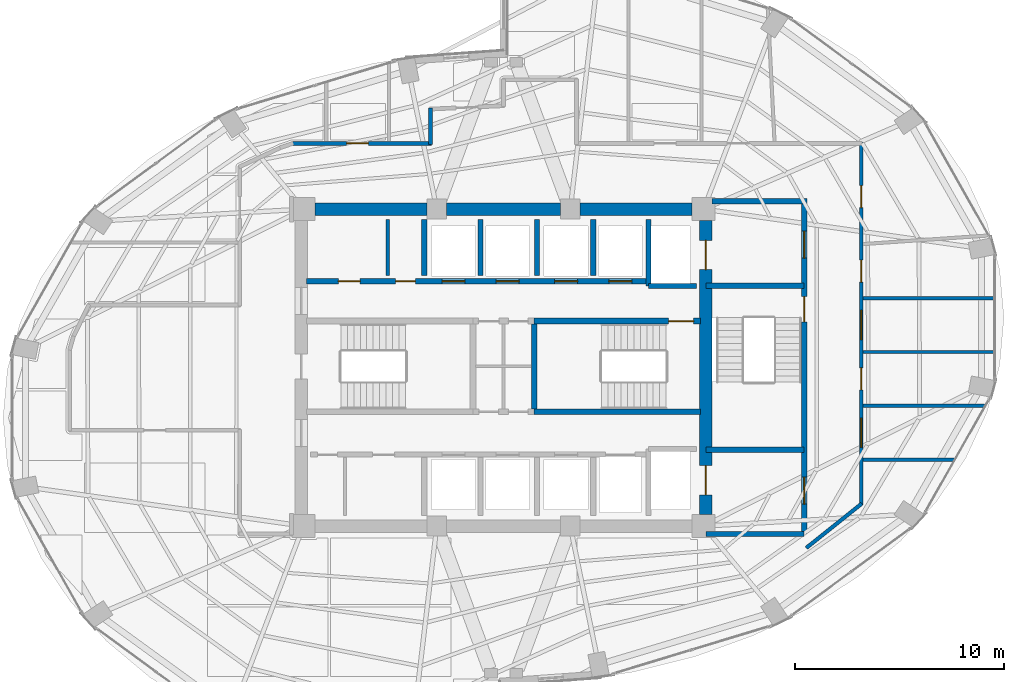
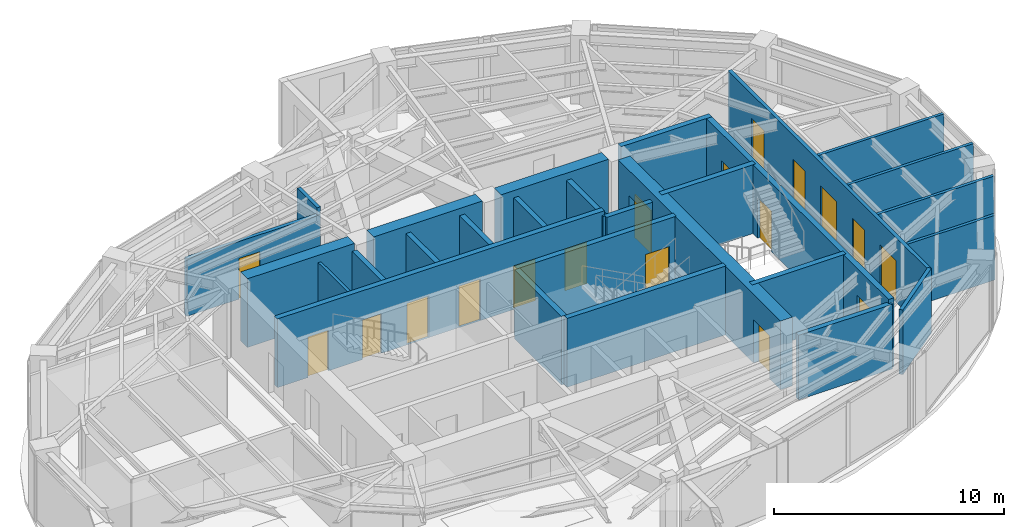
# One storey, part 17 of 20: 28 walls, 18 doors, 18 openings.
"""IFC4 building model written with IfcOpenShell, lengths in metres."""

from ifc_helpers import new_model, si_unit, direction, frame, frame_2d, origin, place, context, subcontext, project, spatial, rectangle, extrude, material, layer, layer_set, type_object, element, fill, save


model = new_model("IFC4")

# Units and contexts
model_context = context("Model", 3, precision=1e-05, world=origin(), true_north=direction((0.0, 1.0)))
body_context = subcontext(model_context, "Body", "Model", "MODEL_VIEW")
ifc_project = project(units=[si_unit("LENGTHUNIT", "METRE"), si_unit("AREAUNIT", "SQUARE_METRE"), si_unit("VOLUMEUNIT", "CUBIC_METRE"), si_unit("PLANEANGLEUNIT", "RADIAN"), si_unit("MASSUNIT", "GRAM", prefix="KILO")], contexts=[model_context])

# Site, building, storey
site_placement = place(None, origin())
site = spatial("IfcSite", under=ifc_project, at=site_placement, CompositionType="ELEMENT")
building_placement = place(site_placement, origin())
building = spatial("IfcBuilding", under=site, at=building_placement, Name="Lazwardi Medical Tower", CompositionType="ELEMENT")
storey_placement = place(building_placement, frame((0.0, 0.0, 160.176025390625)))
storey = spatial("IfcBuildingStorey", under=building, at=storey_placement, Name="L41", CompositionType="ELEMENT", Elevation=160.176025390625)

# Wall, opening, door
ifc_material_1 = material(Name="Fire-rated gypsum board on steel stud", Category="steel")
ifc_layer_1 = layer(ifc_material_1, 0.179931640625)
ifc_layer_set_1 = layer_set([ifc_layer_1], Name="Fire-rated gypsum board on steel stud")
wall_type_1 = type_object("IfcWallType", Name="WL-COR-180", PredefinedType="PARTITIONING", material=ifc_layer_set_1)
wall_1_placement = place(storey_placement, frame((25.842529296875, 38.75, 0.0), z_axis=(0.0, 0.0, 1.0), x_axis=(1.0, 0.0, 0.0)))
wall_1 = element("IfcWall", 1, at=wall_1_placement, inside=storey, type_object=wall_type_1, Name="L41 Corridor partition 6", PredefinedType="PARTITIONING", context=body_context, shape_type="SweptSolid", body=[
    extrude(rectangle(XDim=6.697509765625, YDim=0.179931640625, at=frame_2d((3.3486328125, 0.0))), origin(), (0.0, 0.0, 1.0), 3.052978515625),
])
opening_1_placement = place(wall_1_placement, frame((2.63232421875, 0.0, 0.0)))
opening_1 = element("IfcOpeningElement", 2, at=opening_1_placement, cuts=wall_1, Name="Opening D-L41-022", PredefinedType="OPENING", context=body_context, shape_type="SweptSolid", body=[
    extrude(rectangle(XDim=1.050048828125, YDim=2.14990234375, at=frame_2d((0.52490234375, 1.074951171875))), frame((0.0, 0.099853515625, 0.0), z_axis=(0.0, -1.0, 0.0), x_axis=(1.0, 0.0, 0.0)), (0.0, 0.0, 1.0), 0.199951171875),
])
ifc_material_2 = material(Name="Anti-microbial laminate hospital leaf")
door_type_1 = type_object("IfcDoorType", Name="DR-CLN-1050", OperationType="NOTDEFINED", PredefinedType="DOOR", material=ifc_material_2)
door_1_placement = place(opening_1_placement, origin())
door_1 = element("IfcDoor", 3, at=door_1_placement, inside=storey, type_object=door_type_1, Name="L41 Outpatient Consultation Suite Door 10", OperationType="SINGLE_SWING_LEFT", OverallHeight=2.14990234375, OverallWidth=1.050048828125, PredefinedType="DOOR", context=body_context, shape_type="SweptSolid", body=[
    extrude(rectangle(XDim=1.050048828125, YDim=2.14990234375, at=frame_2d((0.52490234375, 1.074951171875))), frame((0.0, 0.02490234375, 0.0), z_axis=(0.0, -1.0, 0.0), x_axis=(1.0, 0.0, 0.0)), (0.0, 0.0, 1.0), 0.050048828125),
])
fill(opening_1, door_1)

# Wall
wall_2_placement = place(storey_placement, frame((32.5, 38.7099609375, 0.0), z_axis=(0.0, 0.0, 1.0), x_axis=(0.0, 1.0, 0.0)))
element("IfcWall", 4, at=wall_2_placement, inside=storey, type_object=wall_type_1, Name="L41 Corridor partition 7", PredefinedType="PARTITIONING", context=body_context, shape_type="SweptSolid", body=[
    extrude(rectangle(XDim=1.729248046875, YDim=0.179931640625, at=frame_2d((0.86474609375, 0.0))), origin(), (0.0, 0.0, 1.0), 3.427978515625),
])

# Wall, openings, doors
wall_3_placement = place(storey_placement, frame((53.14990234375, 38.7900390625, 0.0), z_axis=(0.0, 0.0, 1.0), x_axis=(0.0, -1.0, 0.0)))
wall_3 = element("IfcWall", 5, at=wall_3_placement, inside=storey, type_object=wall_type_1, Name="L41 Corridor partition 13", PredefinedType="PARTITIONING", context=body_context, shape_type="SweptSolid", body=[
    extrude(rectangle(XDim=17.374267578125, YDim=0.179931640625, at=frame_2d((8.68701171875, 0.0))), origin(), (0.0, 0.0, 1.0), 3.427978515625),
])
opening_2_placement = place(wall_3_placement, frame((13.215087890625, 0.0, 0.0)))
opening_2 = element("IfcOpeningElement", 6, at=opening_2_placement, cuts=wall_3, Name="Opening D-L41-014", PredefinedType="OPENING", context=body_context, shape_type="SweptSolid", body=[
    extrude(rectangle(XDim=1.39990234375, YDim=2.199951171875, at=frame_2d((0.699951171875, 1.10009765625))), frame((0.0, 0.099853515625, 0.0), z_axis=(0.0, -1.0, 0.0), x_axis=(1.0, 0.0, 0.0)), (0.0, 0.0, 1.0), 0.199951171875),
])
opening_3_placement = place(wall_3_placement, frame((10.804931640625, 0.0, 0.0)))
opening_3 = element("IfcOpeningElement", 7, at=opening_3_placement, cuts=wall_3, Name="Opening D-L41-015", PredefinedType="OPENING", context=body_context, shape_type="SweptSolid", body=[
    extrude(rectangle(XDim=1.050048828125, YDim=2.14990234375, at=frame_2d((0.52490234375, 1.074951171875))), frame((0.0, 0.099853515625, 0.0), z_axis=(0.0, -1.0, 0.0), x_axis=(1.0, 0.0, 0.0)), (0.0, 0.0, 1.0), 0.199951171875),
])
opening_4_placement = place(wall_3_placement, frame((8.050048828125, 0.0, 0.0)))
opening_4 = element("IfcOpeningElement", 8, at=opening_4_placement, cuts=wall_3, Name="Opening D-L41-016", PredefinedType="OPENING", context=body_context, shape_type="SweptSolid", body=[
    extrude(rectangle(XDim=1.39990234375, YDim=2.199951171875, at=frame_2d((0.699951171875, 1.10009765625))), frame((0.0, 0.099853515625, 0.0), z_axis=(0.0, -1.0, 0.0), x_axis=(1.0, 0.0, 0.0)), (0.0, 0.0, 1.0), 0.199951171875),
])
opening_5_placement = place(wall_3_placement, frame((5.63720703125, 0.0, 0.0)))
opening_5 = element("IfcOpeningElement", 9, at=opening_5_placement, cuts=wall_3, Name="Opening D-L41-017", PredefinedType="OPENING", context=body_context, shape_type="SweptSolid", body=[
    extrude(rectangle(XDim=1.050048828125, YDim=2.14990234375, at=frame_2d((0.52490234375, 1.074951171875))), frame((0.0, 0.099853515625, 0.0), z_axis=(0.0, -1.0, 0.0), x_axis=(1.0, 0.0, 0.0)), (0.0, 0.0, 1.0), 0.199951171875),
])
opening_6_placement = place(wall_3_placement, frame((2.066162109375, 0.0, 0.0)))
opening_6 = element("IfcOpeningElement", 10, at=opening_6_placement, cuts=wall_3, Name="Opening D-L41-018", PredefinedType="OPENING", context=body_context, shape_type="SweptSolid", body=[
    extrude(rectangle(XDim=1.050048828125, YDim=2.14990234375, at=frame_2d((0.52490234375, 1.074951171875))), frame((0.0, 0.099853515625, 0.0), z_axis=(0.0, -1.0, 0.0), x_axis=(1.0, 0.0, 0.0)), (0.0, 0.0, 1.0), 0.199951171875),
])
door_type_2 = type_object("IfcDoorType", Name="DR-BED-1400", OperationType="NOTDEFINED", PredefinedType="DOOR", material=ifc_material_2)
door_2_placement = place(opening_2_placement, origin())
door_2 = element("IfcDoor", 11, at=door_2_placement, inside=storey, type_object=door_type_2, Name="L41 Rehabilitation Gymnasium Door 02", OperationType="SINGLE_SWING_LEFT", OverallHeight=2.199951171875, OverallWidth=1.39990234375, PredefinedType="DOOR", context=body_context, shape_type="SweptSolid", body=[
    extrude(rectangle(XDim=1.39990234375, YDim=2.199951171875, at=frame_2d((0.699951171875, 1.10009765625))), frame((0.0, 0.02490234375, 0.0), z_axis=(0.0, -1.0, 0.0), x_axis=(1.0, 0.0, 0.0)), (0.0, 0.0, 1.0), 0.050048828125),
])
fill(opening_2, door_2)
door_3_placement = place(opening_4_placement, origin())
door_3 = element("IfcDoor", 12, at=door_3_placement, inside=storey, type_object=door_type_2, Name="L41 Department Reception Foyer Door 04", OperationType="SINGLE_SWING_LEFT", OverallHeight=2.199951171875, OverallWidth=1.39990234375, PredefinedType="DOOR", context=body_context, shape_type="SweptSolid", body=[
    extrude(rectangle(XDim=1.39990234375, YDim=2.199951171875, at=frame_2d((0.699951171875, 1.10009765625))), frame((0.0, 0.02490234375, 0.0), z_axis=(0.0, -1.0, 0.0), x_axis=(1.0, 0.0, 0.0)), (0.0, 0.0, 1.0), 0.050048828125),
])
fill(opening_4, door_3)
door_4_placement = place(opening_3_placement, origin())
door_4 = element("IfcDoor", 13, at=door_4_placement, inside=storey, type_object=door_type_1, Name="L41 Outpatient Clinic Door 03", OperationType="SINGLE_SWING_RIGHT", OverallHeight=2.14990234375, OverallWidth=1.050048828125, PredefinedType="DOOR", context=body_context, shape_type="SweptSolid", body=[
    extrude(rectangle(XDim=1.050048828125, YDim=2.14990234375, at=frame_2d((0.52490234375, 1.074951171875))), frame((0.0, 0.02490234375, 0.0), z_axis=(0.0, -1.0, 0.0), x_axis=(1.0, 0.0, 0.0)), (0.0, 0.0, 1.0), 0.050048828125),
])
fill(opening_3, door_4)
door_5_placement = place(opening_5_placement, origin())
door_5 = element("IfcDoor", 14, at=door_5_placement, inside=storey, type_object=door_type_1, Name="L41 Outpatient Consultation Suite Door 05", OperationType="SINGLE_SWING_RIGHT", OverallHeight=2.14990234375, OverallWidth=1.050048828125, PredefinedType="DOOR", context=body_context, shape_type="SweptSolid", body=[
    extrude(rectangle(XDim=1.050048828125, YDim=2.14990234375, at=frame_2d((0.52490234375, 1.074951171875))), frame((0.0, 0.02490234375, 0.0), z_axis=(0.0, -1.0, 0.0), x_axis=(1.0, 0.0, 0.0)), (0.0, 0.0, 1.0), 0.050048828125),
])
fill(opening_5, door_5)
door_6_placement = place(opening_6_placement, origin())
door_6 = element("IfcDoor", 15, at=door_6_placement, inside=storey, type_object=door_type_1, Name="L41 Outpatient Consultation Suite Door 06", OperationType="SINGLE_SWING_LEFT", OverallHeight=2.14990234375, OverallWidth=1.050048828125, PredefinedType="DOOR", context=body_context, shape_type="SweptSolid", body=[
    extrude(rectangle(XDim=1.050048828125, YDim=2.14990234375, at=frame_2d((0.52490234375, 1.074951171875))), frame((0.0, 0.02490234375, 0.0), z_axis=(0.0, -1.0, 0.0), x_axis=(1.0, 0.0, 0.0)), (0.0, 0.0, 1.0), 0.050048828125),
])
fill(opening_6, door_6)

# Wall
wall_4_placement = place(storey_placement, frame((53.181396484375, 21.480712890625, 0.0), z_axis=(0.0, 0.0, 1.0), x_axis=(-0.781420737726, -0.624004511724, 0.0)))
element("IfcWall", 16, at=wall_4_placement, inside=storey, type_object=wall_type_1, Name="L41 Corridor partition 14", PredefinedType="PARTITIONING", context=body_context, shape_type="SweptSolid", body=[
    extrude(rectangle(XDim=3.407470703125, YDim=0.179931640625, at=frame_2d((1.70361328125, 0.0))), origin(), (0.0, 0.0, 1.0), 3.427978515625),
])

# Wall, openings, doors
ifc_material_3 = material(Name="Concrete C60/75", Category="concrete")
ifc_layer_2 = layer(ifc_material_3, 0.60009765625)
ifc_layer_set_2 = layer_set([ifc_layer_2], Name="Concrete C60/75")
wall_type_2 = type_object("IfcWallType", Name="WL-CORE-600", PredefinedType="SHEAR", material=ifc_layer_set_2)
wall_5_placement = place(storey_placement, frame((45.699951171875, 20.949951171875, 0.0), z_axis=(0.0, 0.0, 1.0), x_axis=(0.0, 1.0, 0.0)))
wall_5 = element("IfcWall", 17, at=wall_5_placement, inside=storey, type_object=wall_type_2, Name="Core wall CW-S3 east L41", PredefinedType="SHEAR", context=body_context, shape_type="SweptSolid", body=[
    extrude(rectangle(XDim=14.10009765625, YDim=0.60009765625, at=frame_2d((7.050048828125, 0.0))), origin(), (0.0, 0.0, 1.0), 3.64794921875),
])
opening_7_placement = place(wall_5_placement, frame((11.75, 0.0, 0.0)))
opening_7 = element("IfcOpeningElement", 18, at=opening_7_placement, cuts=wall_5, Name="Opening LD-L41-001", PredefinedType="OPENING", context=body_context, shape_type="SweptSolid", body=[
    extrude(rectangle(XDim=1.39990234375, YDim=2.300048828125, at=frame_2d((0.699951171875, 1.14990234375))), frame((0.0, 0.31005859375, 0.0), z_axis=(0.0, -1.0, 0.0), x_axis=(1.0, 0.0, 0.0)), (0.0, 0.0, 1.0), 0.6201171875),
])
opening_8_placement = place(wall_5_placement, frame((0.949951171875, 0.0, 0.0)))
opening_8 = element("IfcOpeningElement", 19, at=opening_8_placement, cuts=wall_5, Name="Opening LD-L41-002", PredefinedType="OPENING", context=body_context, shape_type="SweptSolid", body=[
    extrude(rectangle(XDim=1.39990234375, YDim=2.300048828125, at=frame_2d((0.699951171875, 1.14990234375))), frame((0.0, 0.31005859375, 0.0), z_axis=(0.0, -1.0, 0.0), x_axis=(1.0, 0.0, 0.0)), (0.0, 0.0, 1.0), 0.6201171875),
])
ifc_material_4 = material(Name="Brushed stainless steel bed-lift landing door", Category="steel")
door_type_3 = type_object("IfcDoorType", Name="DR-LFT-1400", OperationType="NOTDEFINED", PredefinedType="DOOR", material=ifc_material_4)
door_7_placement = place(opening_7_placement, origin())
door_7 = element("IfcDoor", 20, at=door_7_placement, inside=storey, type_object=door_type_3, Name="L41 Lift Landing Door FL-01", OperationType="SLIDING_TO_LEFT", OverallHeight=2.300048828125, OverallWidth=1.39990234375, PredefinedType="DOOR", context=body_context, shape_type="SweptSolid", body=[
    extrude(rectangle(XDim=1.39990234375, YDim=2.300048828125, at=frame_2d((0.699951171875, 1.14990234375))), frame((0.0, 0.02490234375, 0.0), z_axis=(0.0, -1.0, 0.0), x_axis=(1.0, 0.0, 0.0)), (0.0, 0.0, 1.0), 0.050048828125),
])
fill(opening_7, door_7)
door_8_placement = place(opening_8_placement, origin())
door_8 = element("IfcDoor", 21, at=door_8_placement, inside=storey, type_object=door_type_3, Name="L41 Lift Landing Door FL-02", OperationType="SLIDING_TO_LEFT", OverallHeight=2.300048828125, OverallWidth=1.39990234375, PredefinedType="DOOR", context=body_context, shape_type="SweptSolid", body=[
    extrude(rectangle(XDim=1.39990234375, YDim=2.300048828125, at=frame_2d((0.699951171875, 1.14990234375))), frame((0.0, 0.02490234375, 0.0), z_axis=(0.0, -1.0, 0.0), x_axis=(1.0, 0.0, 0.0)), (0.0, 0.0, 1.0), 0.050048828125),
])
fill(opening_8, door_8)

# Walls
wall_6_placement = place(storey_placement, frame((26.949951171875, 35.60009765625, 0.0), z_axis=(0.0, 0.0, 1.0), x_axis=(1.0, 0.0, 0.0)))
element("IfcWall", 22, at=wall_6_placement, inside=storey, type_object=wall_type_2, Name="Core wall CW-S3 N1 L41", PredefinedType="SHEAR", context=body_context, shape_type="SweptSolid", body=[
    extrude(rectangle(XDim=5.375, YDim=0.60009765625, at=frame_2d((2.6875, 0.0))), origin(), (0.0, 0.0, 1.0), 3.64794921875),
])
wall_7_placement = place(storey_placement, frame((33.27490234375, 35.60009765625, 0.0), z_axis=(0.0, 0.0, 1.0), x_axis=(1.0, 0.0, 0.0)))
element("IfcWall", 23, at=wall_7_placement, inside=storey, type_object=wall_type_2, Name="Core wall CW-S3 N2 L41", PredefinedType="SHEAR", context=body_context, shape_type="SweptSolid", body=[
    extrude(rectangle(XDim=5.4501953125, YDim=0.60009765625, at=frame_2d((2.72509765625, 0.0))), origin(), (0.0, 0.0, 1.0), 3.64794921875),
])
wall_8_placement = place(storey_placement, frame((39.675048828125, 35.60009765625, 0.0), z_axis=(0.0, 0.0, 1.0), x_axis=(1.0, 0.0, 0.0)))
element("IfcWall", 24, at=wall_8_placement, inside=storey, type_object=wall_type_2, Name="Core wall CW-S3 N3 L41", PredefinedType="SHEAR", context=body_context, shape_type="SweptSolid", body=[
    extrude(rectangle(XDim=5.375, YDim=0.60009765625, at=frame_2d((2.6875, 0.0))), origin(), (0.0, 0.0, 1.0), 3.64794921875),
])
ifc_material_5 = material(Name="Autoclaved aerated concrete blockwork", Category="masonry")
ifc_layer_3 = layer(ifc_material_5, 0.25)
ifc_layer_set_3 = layer_set([ifc_layer_3], Name="Autoclaved aerated concrete blockwork")
wall_type_3 = type_object("IfcWallType", Name="WL-SHAFT-250", PredefinedType="SOLIDWALL", material=ifc_layer_set_3)
wall_9_placement = place(storey_placement, frame((42.949951171875, 31.919921875, 0.0), z_axis=(0.0, 0.0, 1.0), x_axis=(0.0, 1.0, 0.0)))
element("IfcWall", 25, at=wall_9_placement, inside=storey, type_object=wall_type_3, Name="L41 FL-01 West shaft wall", PredefinedType="SOLIDWALL", context=body_context, shape_type="SweptSolid", body=[
    extrude(rectangle(XDim=3.18017578125, YDim=0.25, at=frame_2d((1.590087890625, 0.0))), origin(), (0.0, 0.0, 1.0), 3.427978515625),
])
wall_10_placement = place(storey_placement, frame((42.949951171875, 31.919921875, 0.0), z_axis=(0.0, 0.0, 1.0), x_axis=(1.0, 0.0, 0.0)))
element("IfcWall", 26, at=wall_10_placement, inside=storey, type_object=wall_type_3, Name="L41 FL-01 South shaft wall", PredefinedType="SOLIDWALL", context=body_context, shape_type="SweptSolid", body=[
    extrude(rectangle(XDim=2.300048828125, YDim=0.25, at=frame_2d((1.14990234375, 0.0))), origin(), (0.0, 0.0, 1.0), 3.427978515625),
])
for number, where, z_axis, x_axis, name in (
    (27, (32.199951171875, 32.419921875, 0.0), (0.0, 0.0, 1.0), (0.0, 1.0, 0.0), "L41 North hoistway divider"),
    (28, (34.89990234375, 32.419921875, 0.0), (0.0, 0.0, 1.0), (0.0, 1.0, 0.0), "L41 North hoistway divider"),
    (29, (37.60009765625, 32.419921875, 0.0), (0.0, 0.0, 1.0), (0.0, 1.0, 0.0), "L41 North hoistway divider"),
    (30, (40.300048828125, 32.419921875, 0.0), (0.0, 0.0, 1.0), (0.0, 1.0, 0.0), "L41 North hoistway divider"),
):
    element("IfcWall", number, at=place(storey_placement, frame(where, z_axis=z_axis, x_axis=x_axis)), inside=storey, type_object=wall_type_3, Name=name, PredefinedType="SOLIDWALL", context=body_context, shape_type="SweptSolid", body=[
        extrude(rectangle(XDim=2.68017578125, YDim=0.25, at=frame_2d((1.340087890625, 0.0))), origin(), (0.0, 0.0, 1.0), 3.427978515625),
    ])
wall_11_placement = place(storey_placement, frame((45.699951171875, 20.02001953125, 0.0), z_axis=(0.0, 0.0, 1.0), x_axis=(1.0, 0.0, 0.0)))
element("IfcWall", 31, at=wall_11_placement, inside=storey, type_object=wall_type_3, Name="L41 FFL-S South wall", PredefinedType="SOLIDWALL", context=body_context, shape_type="SweptSolid", body=[
    extrude(rectangle(XDim=4.715087890625, YDim=0.25, at=frame_2d((2.357421875, 0.0))), origin(), (0.0, 0.0, 1.0), 3.427978515625),
])

# Wall, opening, door
ifc_material_6 = material(Name="Concrete C50/60", Category="concrete")
ifc_layer_4 = layer(ifc_material_6, 0.27001953125)
ifc_layer_set_4 = layer_set([ifc_layer_4], Name="Concrete C50/60")
wall_type_4 = type_object("IfcWallType", Name="WL-STR-250", PredefinedType="SHEAR", material=ifc_layer_set_4)
wall_12_placement = place(storey_placement, frame((37.465087890625, 30.235107421875, 0.0), z_axis=(0.0, 0.0, 1.0), x_axis=(1.0, 0.0, 0.0)))
wall_12 = element("IfcWall", 32, at=wall_12_placement, inside=storey, type_object=wall_type_4, Name="L41 ST2 North shear shaft wall SW-S1", PredefinedType="SHEAR", context=body_context, shape_type="SweptSolid", body=[
    extrude(rectangle(XDim=7.98486328125, YDim=0.27001953125, at=frame_2d((3.992431640625, 0.0))), origin(), (0.0, 0.0, 1.0), 3.64794921875),
])
opening_9_placement = place(wall_12_placement, frame((6.455078125, 0.0, 0.0)))
opening_9 = element("IfcOpeningElement", 33, at=opening_9_placement, cuts=wall_12, Name="Opening D-L41-025", PredefinedType="OPENING", context=body_context, shape_type="SweptSolid", body=[
    extrude(rectangle(XDim=1.199951171875, YDim=2.14990234375, at=frame_2d((0.60009765625, 1.074951171875))), frame((0.0, 0.14501953125, 0.0), z_axis=(0.0, -1.0, 0.0), x_axis=(1.0, 0.0, 0.0)), (0.0, 0.0, 1.0), 0.2900390625),
])
ifc_material_7 = material(Name="Fire-rated steel leaf and frame", Category="steel")
door_type_4 = type_object("IfcDoorType", Name="DR-STR-1200", OperationType="NOTDEFINED", PredefinedType="DOOR", material=ifc_material_7)
door_9_placement = place(opening_9_placement, origin())
door_9 = element("IfcDoor", 34, at=door_9_placement, inside=storey, type_object=door_type_4, Name="L41 Exit Stair ST2 Door", OperationType="SINGLE_SWING_RIGHT", OverallHeight=2.14990234375, OverallWidth=1.199951171875, PredefinedType="DOOR", context=body_context, shape_type="SweptSolid", body=[
    extrude(rectangle(XDim=1.199951171875, YDim=2.14990234375, at=frame_2d((0.60009765625, 1.074951171875))), frame((0.0, 0.02490234375, 0.0), z_axis=(0.0, -1.0, 0.0), x_axis=(1.0, 0.0, 0.0)), (0.0, 0.0, 1.0), 0.050048828125),
])
fill(opening_9, door_9)

# Walls
wall_13_placement = place(storey_placement, frame((37.465087890625, 25.885009765625, 0.0), z_axis=(0.0, 0.0, 1.0), x_axis=(1.0, 0.0, 0.0)))
element("IfcWall", 35, at=wall_13_placement, inside=storey, type_object=wall_type_4, Name="L41 ST2 South shear shaft wall SW-S1", PredefinedType="SHEAR", context=body_context, shape_type="SweptSolid", body=[
    extrude(rectangle(XDim=7.98486328125, YDim=0.27001953125, at=frame_2d((3.992431640625, 0.0))), origin(), (0.0, 0.0, 1.0), 3.64794921875),
])
wall_14_placement = place(storey_placement, frame((37.465087890625, 26.02001953125, 0.0), z_axis=(0.0, 0.0, 1.0), x_axis=(0.0, 1.0, 0.0)))
element("IfcWall", 36, at=wall_14_placement, inside=storey, type_object=wall_type_4, Name="L41 ST2 West shear shaft wall SW-S1", PredefinedType="SHEAR", context=body_context, shape_type="SweptSolid", body=[
    extrude(rectangle(XDim=4.080078125, YDim=0.27001953125, at=frame_2d((2.0400390625, 0.0))), origin(), (0.0, 0.0, 1.0), 3.64794921875),
])

# Wall, openings, doors
wall_15_placement = place(storey_placement, frame((26.550048828125, 32.14990234375, 0.0), z_axis=(0.0, 0.0, 1.0), x_axis=(1.0, 0.0, 0.0)))
wall_15 = element("IfcWall", 37, at=wall_15_placement, inside=storey, type_object=wall_type_4, Name="L41 North lift bank shear wall SW-S1", PredefinedType="SHEAR", context=body_context, shape_type="SweptSolid", body=[
    extrude(rectangle(XDim=16.39990234375, YDim=0.27001953125, at=frame_2d((8.199951171875, 0.0))), origin(), (0.0, 0.0, 1.0), 3.64794921875),
])
opening_10_placement = place(wall_15_placement, frame((1.52490234375, 0.0, 0.0)))
opening_10 = element("IfcOpeningElement", 38, at=opening_10_placement, cuts=wall_15, Name="Opening D-L41-005", PredefinedType="OPENING", context=body_context, shape_type="SweptSolid", body=[
    extrude(rectangle(XDim=1.050048828125, YDim=2.14990234375, at=frame_2d((0.52490234375, 1.074951171875))), frame((0.0, 0.14501953125, 0.0), z_axis=(0.0, -1.0, 0.0), x_axis=(1.0, 0.0, 0.0)), (0.0, 0.0, 1.0), 0.2900390625),
])
opening_11_placement = place(wall_15_placement, frame((4.27490234375, 0.0, 0.0)))
opening_11 = element("IfcOpeningElement", 39, at=opening_11_placement, cuts=wall_15, Name="Opening D-L41-006", PredefinedType="OPENING", context=body_context, shape_type="SweptSolid", body=[
    extrude(rectangle(XDim=0.949951171875, YDim=2.10009765625, at=frame_2d((0.47509765625, 1.050048828125))), frame((0.0, 0.14501953125, 0.0), z_axis=(0.0, -1.0, 0.0), x_axis=(1.0, 0.0, 0.0)), (0.0, 0.0, 1.0), 0.2900390625),
])
opening_12_placement = place(wall_15_placement, frame((6.5, 0.0, 0.0)))
opening_12 = element("IfcOpeningElement", 40, at=opening_12_placement, cuts=wall_15, Name="Opening LD-L41-004", PredefinedType="OPENING", context=body_context, shape_type="SweptSolid", body=[
    extrude(rectangle(XDim=1.10009765625, YDim=2.199951171875, at=frame_2d((0.550048828125, 1.10009765625))), frame((0.0, 0.14501953125, 0.0), z_axis=(0.0, -1.0, 0.0), x_axis=(1.0, 0.0, 0.0)), (0.0, 0.0, 1.0), 0.2900390625),
])
opening_13_placement = place(wall_15_placement, frame((9.10009765625, 0.0, 0.0)))
opening_13 = element("IfcOpeningElement", 41, at=opening_13_placement, cuts=wall_15, Name="Opening LD-L41-005", PredefinedType="OPENING", context=body_context, shape_type="SweptSolid", body=[
    extrude(rectangle(XDim=1.10009765625, YDim=2.199951171875, at=frame_2d((0.550048828125, 1.10009765625))), frame((0.0, 0.14501953125, 0.0), z_axis=(0.0, -1.0, 0.0), x_axis=(1.0, 0.0, 0.0)), (0.0, 0.0, 1.0), 0.2900390625),
])
opening_14_placement = place(wall_15_placement, frame((11.89990234375, 0.0, 0.0)))
opening_14 = element("IfcOpeningElement", 42, at=opening_14_placement, cuts=wall_15, Name="Opening LD-L41-008", PredefinedType="OPENING", context=body_context, shape_type="SweptSolid", body=[
    extrude(rectangle(XDim=1.10009765625, YDim=2.199951171875, at=frame_2d((0.550048828125, 1.10009765625))), frame((0.0, 0.14501953125, 0.0), z_axis=(0.0, -1.0, 0.0), x_axis=(1.0, 0.0, 0.0)), (0.0, 0.0, 1.0), 0.2900390625),
])
opening_15_placement = place(wall_15_placement, frame((14.5, 0.0, 0.0)))
opening_15 = element("IfcOpeningElement", 43, at=opening_15_placement, cuts=wall_15, Name="Opening LD-L41-009", PredefinedType="OPENING", context=body_context, shape_type="SweptSolid", body=[
    extrude(rectangle(XDim=1.10009765625, YDim=2.199951171875, at=frame_2d((0.550048828125, 1.10009765625))), frame((0.0, 0.14501953125, 0.0), z_axis=(0.0, -1.0, 0.0), x_axis=(1.0, 0.0, 0.0)), (0.0, 0.0, 1.0), 0.2900390625),
])
door_10_placement = place(opening_10_placement, origin())
door_10 = element("IfcDoor", 44, at=door_10_placement, inside=storey, type_object=door_type_1, Name="L41 Telemedicine Door", OperationType="SINGLE_SWING_LEFT", OverallHeight=2.14990234375, OverallWidth=1.050048828125, PredefinedType="DOOR", context=body_context, shape_type="SweptSolid", body=[
    extrude(rectangle(XDim=1.050048828125, YDim=2.14990234375, at=frame_2d((0.52490234375, 1.074951171875))), frame((0.0, 0.02490234375, 0.0), z_axis=(0.0, -1.0, 0.0), x_axis=(1.0, 0.0, 0.0)), (0.0, 0.0, 1.0), 0.050048828125),
])
fill(opening_10, door_10)
ifc_material_8 = material(Name="Moisture-resistant laminate door leaf")
door_type_5 = type_object("IfcDoorType", Name="DR-ENS-950", OperationType="NOTDEFINED", PredefinedType="DOOR", material=ifc_material_8)
door_11_placement = place(opening_11_placement, origin())
door_11 = element("IfcDoor", 45, at=door_11_placement, inside=storey, type_object=door_type_5, Name="L41 Staff WC Door", OperationType="SINGLE_SWING_RIGHT", OverallHeight=2.10009765625, OverallWidth=0.949951171875, PredefinedType="DOOR", context=body_context, shape_type="SweptSolid", body=[
    extrude(rectangle(XDim=0.949951171875, YDim=2.10009765625, at=frame_2d((0.47509765625, 1.050048828125))), frame((0.0, 0.02490234375, 0.0), z_axis=(0.0, -1.0, 0.0), x_axis=(1.0, 0.0, 0.0)), (0.0, 0.0, 1.0), 0.050048828125),
])
fill(opening_11, door_11)
ifc_material_9 = material(Name="Brushed bronze stainless steel landing door", Category="steel")
door_type_6 = type_object("IfcDoorType", Name="DR-LFT-1100", OperationType="NOTDEFINED", PredefinedType="DOOR", material=ifc_material_9)
door_12_placement = place(opening_12_placement, origin())
door_12 = element("IfcDoor", 46, at=door_12_placement, inside=storey, type_object=door_type_6, Name="L41 Lift Landing Door PL-05", OperationType="SLIDING_TO_LEFT", OverallHeight=2.199951171875, OverallWidth=1.10009765625, PredefinedType="DOOR", context=body_context, shape_type="SweptSolid", body=[
    extrude(rectangle(XDim=1.10009765625, YDim=2.199951171875, at=frame_2d((0.550048828125, 1.10009765625))), frame((0.0, 0.02490234375, 0.0), z_axis=(0.0, -1.0, 0.0), x_axis=(1.0, 0.0, 0.0)), (0.0, 0.0, 1.0), 0.050048828125),
])
fill(opening_12, door_12)
door_13_placement = place(opening_13_placement, origin())
door_13 = element("IfcDoor", 47, at=door_13_placement, inside=storey, type_object=door_type_6, Name="L41 Lift Landing Door PL-06", OperationType="SLIDING_TO_LEFT", OverallHeight=2.199951171875, OverallWidth=1.10009765625, PredefinedType="DOOR", context=body_context, shape_type="SweptSolid", body=[
    extrude(rectangle(XDim=1.10009765625, YDim=2.199951171875, at=frame_2d((0.550048828125, 1.10009765625))), frame((0.0, 0.02490234375, 0.0), z_axis=(0.0, -1.0, 0.0), x_axis=(1.0, 0.0, 0.0)), (0.0, 0.0, 1.0), 0.050048828125),
])
fill(opening_13, door_13)
door_14_placement = place(opening_14_placement, origin())
door_14 = element("IfcDoor", 48, at=door_14_placement, inside=storey, type_object=door_type_6, Name="L41 Lift Landing Door PL-09", OperationType="SLIDING_TO_LEFT", OverallHeight=2.199951171875, OverallWidth=1.10009765625, PredefinedType="DOOR", context=body_context, shape_type="SweptSolid", body=[
    extrude(rectangle(XDim=1.10009765625, YDim=2.199951171875, at=frame_2d((0.550048828125, 1.10009765625))), frame((0.0, 0.02490234375, 0.0), z_axis=(0.0, -1.0, 0.0), x_axis=(1.0, 0.0, 0.0)), (0.0, 0.0, 1.0), 0.050048828125),
])
fill(opening_14, door_14)
door_15_placement = place(opening_15_placement, origin())
door_15 = element("IfcDoor", 49, at=door_15_placement, inside=storey, type_object=door_type_6, Name="L41 Lift Landing Door PL-10", OperationType="SLIDING_TO_LEFT", OverallHeight=2.199951171875, OverallWidth=1.10009765625, PredefinedType="DOOR", context=body_context, shape_type="SweptSolid", body=[
    extrude(rectangle(XDim=1.10009765625, YDim=2.199951171875, at=frame_2d((0.550048828125, 1.10009765625))), frame((0.0, 0.02490234375, 0.0), z_axis=(0.0, -1.0, 0.0), x_axis=(1.0, 0.0, 0.0)), (0.0, 0.0, 1.0), 0.050048828125),
])
fill(opening_15, door_15)

wall_16_placement = place(storey_placement, frame((50.4150390625, 35.844970703125, 0.0), z_axis=(0.0, 0.0, 1.0), x_axis=(0.0, -1.0, 0.0)))
wall_16 = element("IfcWall", 50, at=wall_16_placement, inside=storey, type_object=wall_type_4, Name="L41 East ST3 & FFL shear wall SW-S1", PredefinedType="SHEAR", context=body_context, shape_type="SweptSolid", body=[
    extrude(rectangle(XDim=15.824951171875, YDim=0.27001953125, at=frame_2d((7.91259765625, 0.0))), origin(), (0.0, 0.0, 1.0), 3.64794921875),
])
opening_16_placement = place(wall_16_placement, frame((4.445068359375, 0.0, 0.0)))
opening_16 = element("IfcOpeningElement", 51, at=opening_16_placement, cuts=wall_16, Name="Opening D-L41-026", PredefinedType="OPENING", context=body_context, shape_type="SweptSolid", body=[
    extrude(rectangle(XDim=1.199951171875, YDim=2.14990234375, at=frame_2d((0.60009765625, 1.074951171875))), frame((0.0, 0.14501953125, 0.0), z_axis=(0.0, -1.0, 0.0), x_axis=(1.0, 0.0, 0.0)), (0.0, 0.0, 1.0), 0.2900390625),
])
opening_17_placement = place(wall_16_placement, frame((1.294921875, 0.0, 0.0)))
opening_17 = element("IfcOpeningElement", 52, at=opening_17_placement, cuts=wall_16, Name="Opening D-L41-009", PredefinedType="OPENING", context=body_context, shape_type="SweptSolid", body=[
    extrude(rectangle(XDim=1.300048828125, YDim=2.199951171875, at=frame_2d((0.64990234375, 1.10009765625))), frame((0.0, 0.14501953125, 0.0), z_axis=(0.0, -1.0, 0.0), x_axis=(1.0, 0.0, 0.0)), (0.0, 0.0, 1.0), 0.2900390625),
])
opening_18_placement = place(wall_16_placement, frame((13.094970703125, 0.0, 0.0)))
opening_18 = element("IfcOpeningElement", 53, at=opening_18_placement, cuts=wall_16, Name="Opening D-L41-010", PredefinedType="OPENING", context=body_context, shape_type="SweptSolid", body=[
    extrude(rectangle(XDim=1.300048828125, YDim=2.199951171875, at=frame_2d((0.64990234375, 1.10009765625))), frame((0.0, 0.14501953125, 0.0), z_axis=(0.0, -1.0, 0.0), x_axis=(1.0, 0.0, 0.0)), (0.0, 0.0, 1.0), 0.2900390625),
])
door_type_7 = type_object("IfcDoorType", Name="DR-FFL-1300", OperationType="NOTDEFINED", PredefinedType="DOOR", material=ifc_material_7)
door_16_placement = place(opening_17_placement, origin())
door_16 = element("IfcDoor", 54, at=door_16_placement, inside=storey, type_object=door_type_7, Name="L41 Fire-Fighting Lobby North Door", OperationType="SINGLE_SWING_RIGHT", OverallHeight=2.199951171875, OverallWidth=1.300048828125, PredefinedType="DOOR", context=body_context, shape_type="SweptSolid", body=[
    extrude(rectangle(XDim=1.300048828125, YDim=2.199951171875, at=frame_2d((0.64990234375, 1.10009765625))), frame((0.0, 0.02490234375, 0.0), z_axis=(0.0, -1.0, 0.0), x_axis=(1.0, 0.0, 0.0)), (0.0, 0.0, 1.0), 0.050048828125),
])
fill(opening_17, door_16)
door_17_placement = place(opening_18_placement, origin())
door_17 = element("IfcDoor", 55, at=door_17_placement, inside=storey, type_object=door_type_7, Name="L41 Fire-Fighting Lobby South Door", OperationType="SINGLE_SWING_LEFT", OverallHeight=2.199951171875, OverallWidth=1.300048828125, PredefinedType="DOOR", context=body_context, shape_type="SweptSolid", body=[
    extrude(rectangle(XDim=1.300048828125, YDim=2.199951171875, at=frame_2d((0.64990234375, 1.10009765625))), frame((0.0, 0.02490234375, 0.0), z_axis=(0.0, -1.0, 0.0), x_axis=(1.0, 0.0, 0.0)), (0.0, 0.0, 1.0), 0.050048828125),
])
fill(opening_18, door_17)
door_18_placement = place(opening_16_placement, origin())
door_18 = element("IfcDoor", 56, at=door_18_placement, inside=storey, type_object=door_type_4, Name="L41 Exit Stair ST3 Door", OperationType="SINGLE_SWING_LEFT", OverallHeight=2.14990234375, OverallWidth=1.199951171875, PredefinedType="DOOR", context=body_context, shape_type="SweptSolid", body=[
    extrude(rectangle(XDim=1.199951171875, YDim=2.14990234375, at=frame_2d((0.60009765625, 1.074951171875))), frame((0.0, 0.02490234375, 0.0), z_axis=(0.0, -1.0, 0.0), x_axis=(1.0, 0.0, 0.0)), (0.0, 0.0, 1.0), 0.050048828125),
])
fill(opening_16, door_18)

# Walls
wall_17_placement = place(storey_placement, frame((46.0, 35.97998046875, 0.0), z_axis=(0.0, 0.0, 1.0), x_axis=(1.0, 0.0, 0.0)))
element("IfcWall", 57, at=wall_17_placement, inside=storey, type_object=wall_type_4, Name="L41 FFL-N North shear wall SW-S1", PredefinedType="SHEAR", context=body_context, shape_type="SweptSolid", body=[
    extrude(rectangle(XDim=4.550048828125, YDim=0.27001953125, at=frame_2d((2.27490234375, 0.0))), origin(), (0.0, 0.0, 1.0), 3.64794921875),
])
for number, where, z_axis, x_axis, name in (
    (58, (45.699951171875, 31.93505859375, 0.0), (0.0, 0.0, 1.0), (1.0, 0.0, 0.0), "L41 ST3 North shear shaft wall SW-S1"),
    (59, (45.699951171875, 24.06494140625, 0.0), (0.0, 0.0, 1.0), (1.0, 0.0, 0.0), "L41 ST3 South shear shaft wall SW-S1"),
):
    element("IfcWall", number, at=place(storey_placement, frame(where, z_axis=z_axis, x_axis=x_axis)), inside=storey, type_object=wall_type_4, Name=name, PredefinedType="SHEAR", context=body_context, shape_type="SweptSolid", body=[
        extrude(rectangle(XDim=4.715087890625, YDim=0.27001953125, at=frame_2d((2.357421875, 0.0))), origin(), (0.0, 0.0, 1.0), 3.64794921875),
    ])
ifc_material_10 = material(Name="Acoustic gypsum board partition")
ifc_layer_5 = layer(ifc_material_10, 0.14990234375)
ifc_layer_set_5 = layer_set([ifc_layer_5], Name="Acoustic gypsum board partition")
wall_type_5 = type_object("IfcWallType", Name="WL-WRD-150", PredefinedType="PARTITIONING", material=ifc_layer_set_5)
wall_18_placement = place(storey_placement, frame((30.449951171875, 32.419921875, 0.0), z_axis=(0.0, 0.0, 1.0), x_axis=(0.0, 1.0, 0.0)))
element("IfcWall", 60, at=wall_18_placement, inside=storey, type_object=wall_type_5, Name="L41 Freed bay N split 2", PredefinedType="PARTITIONING", context=body_context, shape_type="SweptSolid", body=[
    extrude(rectangle(XDim=2.68017578125, YDim=0.14990234375, at=frame_2d((1.340087890625, 0.0))), origin(), (0.0, 0.0, 1.0), 3.427978515625),
])
wall_19_placement = place(storey_placement, frame((53.239990234375, 23.580078125, 0.0), z_axis=(0.0, 0.0, 1.0), x_axis=(1.0, 0.0, 0.0)))
element("IfcWall", 61, at=wall_19_placement, inside=storey, type_object=wall_type_5, Name="L41 Room partition 2", PredefinedType="PARTITIONING", context=body_context, shape_type="SweptSolid", body=[
    extrude(rectangle(XDim=4.392578125, YDim=0.14990234375, at=frame_2d((2.1962890625, 0.0))), origin(), (0.0, 0.0, 1.0), 3.427978515625),
])
wall_20_placement = place(storey_placement, frame((53.239990234375, 26.169921875, 0.0), z_axis=(0.0, 0.0, 1.0), x_axis=(1.0, 0.0, 0.0)))
element("IfcWall", 62, at=wall_20_placement, inside=storey, type_object=wall_type_5, Name="L41 Room partition 3", PredefinedType="PARTITIONING", context=body_context, shape_type="SweptSolid", body=[
    extrude(rectangle(XDim=5.857421875, YDim=0.14990234375, at=frame_2d((2.9287109375, 0.0))), origin(), (0.0, 0.0, 1.0), 3.427978515625),
])
for number, where, z_axis, x_axis, name in (
    (63, (53.239990234375, 28.75, 0.0), (0.0, 0.0, 1.0), (1.0, 0.0, 0.0), "L41 Room partition 4"),
    (64, (53.239990234375, 31.330078125, 0.0), (0.0, 0.0, 1.0), (1.0, 0.0, 0.0), "L41 Room partition 5"),
):
    element("IfcWall", number, at=place(storey_placement, frame(where, z_axis=z_axis, x_axis=x_axis)), inside=storey, type_object=wall_type_5, Name=name, PredefinedType="PARTITIONING", context=body_context, shape_type="SweptSolid", body=[
        extrude(rectangle(XDim=6.30712890625, YDim=0.14990234375, at=frame_2d((3.153564453125, 0.0))), origin(), (0.0, 0.0, 1.0), 3.427978515625),
    ])

save(model, "model.ifc")
